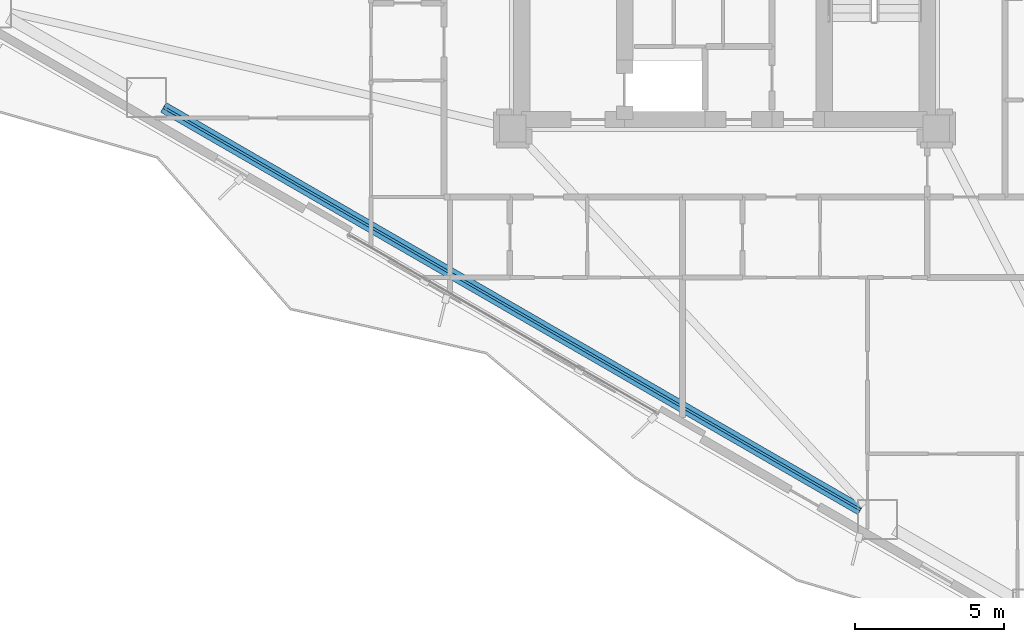
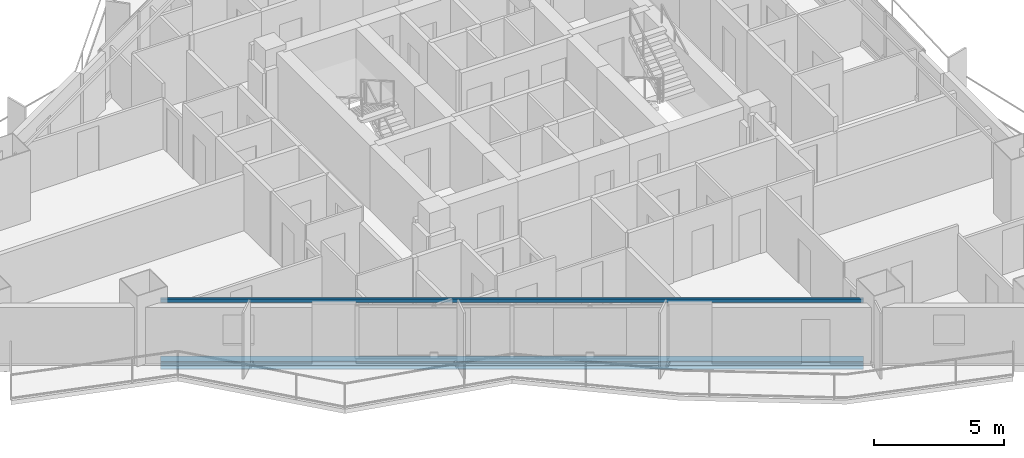
# One storey, part 3 of 18: 2 beams.
"""IFC4 building model written with IfcOpenShell, lengths in metres."""

from ifc_helpers import new_model, si_unit, direction, frame, origin, origin_2d, place, context, subcontext, project, spatial, hollow_rectangle, i_section, extrude, material, material_profile, profile_set, type_object, element, save


model = new_model("IFC4")

# Units and contexts
model_context = context("Model", 3, precision=1e-05, world=origin(), true_north=direction((0.0, 1.0)))
body_context = subcontext(model_context, "Body", "Model", "MODEL_VIEW")
ifc_project = project(units=[si_unit("LENGTHUNIT", "METRE"), si_unit("AREAUNIT", "SQUARE_METRE"), si_unit("VOLUMEUNIT", "CUBIC_METRE"), si_unit("PLANEANGLEUNIT", "RADIAN"), si_unit("MASSUNIT", "GRAM", prefix="KILO")], contexts=[model_context])

# Site, building, storey
site_placement = place(None, origin())
site = spatial("IfcSite", under=ifc_project, at=site_placement, CompositionType="ELEMENT")
building_placement = place(site_placement, origin())
building = spatial("IfcBuilding", under=site, at=building_placement, Name="Mersakhor Tower and Convention Hall", CompositionType="ELEMENT")
storey_placement = place(building_placement, frame((0.0, 0.0, 32.39990234375)))
storey = spatial("IfcBuildingStorey", under=building, at=storey_placement, Name="L08", CompositionType="ELEMENT", Elevation=32.39990234375)

# Beams
ifc_material_1 = material(Name="Steel S355", Category="steel")
ifc_material_profile_1 = material_profile(ifc_material_1, hollow_rectangle(XDim=0.080078125, YDim=0.179931640625, WallThickness=0.008056640625, at=origin_2d()), Name="RHS 180x80x8")
ifc_profile_set_1 = profile_set([ifc_material_profile_1], Name="Steel S355")
beam_type_1 = type_object("IfcBeamType", Name="BM-GRT-RHS180", PredefinedType="USERDEFINED", material=ifc_profile_set_1)
beam_1_placement = place(storey_placement, frame((33.566162109375, 7.6591796875, 2.47998046875), z_axis=(-0.866025970279, 0.499999018801, 0.0), x_axis=(-0.499999018801, -0.866025970279, 0.0)))
element("IfcBeam", 1, at=beam_1_placement, inside=storey, type_object=beam_type_1, Name="L08 Facade Support Girt GRT-F3", ObjectType="GIRT", PredefinedType="USERDEFINED", context=body_context, shape_type="SweptSolid", body=[
    extrude(hollow_rectangle(XDim=0.080078125, YDim=0.179931640625, WallThickness=0.008056640625, at=origin_2d()), origin(), (0.0, 0.0, 1.0), 26.99951171875),
])
ifc_material_2 = material(Name="Steel S355", Category="steel")
ifc_material_profile_2 = material_profile(ifc_material_2, i_section(OverallWidth=0.374755859375, OverallDepth=0.37451171875, WebThickness=0.0166015625, FlangeThickness=0.027099609375, at=origin_2d()), Name="UC 356x368x202")
ifc_profile_set_2 = profile_set([ifc_material_profile_2], Name="Steel S355")
beam_type_2 = type_object("IfcBeamType", Name="BM-SPD-UC356", PredefinedType="SPANDREL", material=ifc_profile_set_2)
beam_2_placement = place(storey_placement, frame((33.566162109375, 7.6591796875, -0.447265625), z_axis=(-0.866025970279, 0.499999018801, 0.0), x_axis=(-0.499999018801, -0.866025970279, 0.0)))
element("IfcBeam", 2, at=beam_2_placement, inside=storey, type_object=beam_type_2, Name="L08 Perimeter Spandrel Beam SPB-10", PredefinedType="SPANDREL", context=body_context, shape_type="SweptSolid", body=[
    extrude(i_section(OverallWidth=0.374755859375, OverallDepth=0.37451171875, WebThickness=0.0166015625, FlangeThickness=0.027099609375, at=origin_2d()), origin(), (0.0, 0.0, 1.0), 26.99951171875),
])

save(model, "model.ifc")
